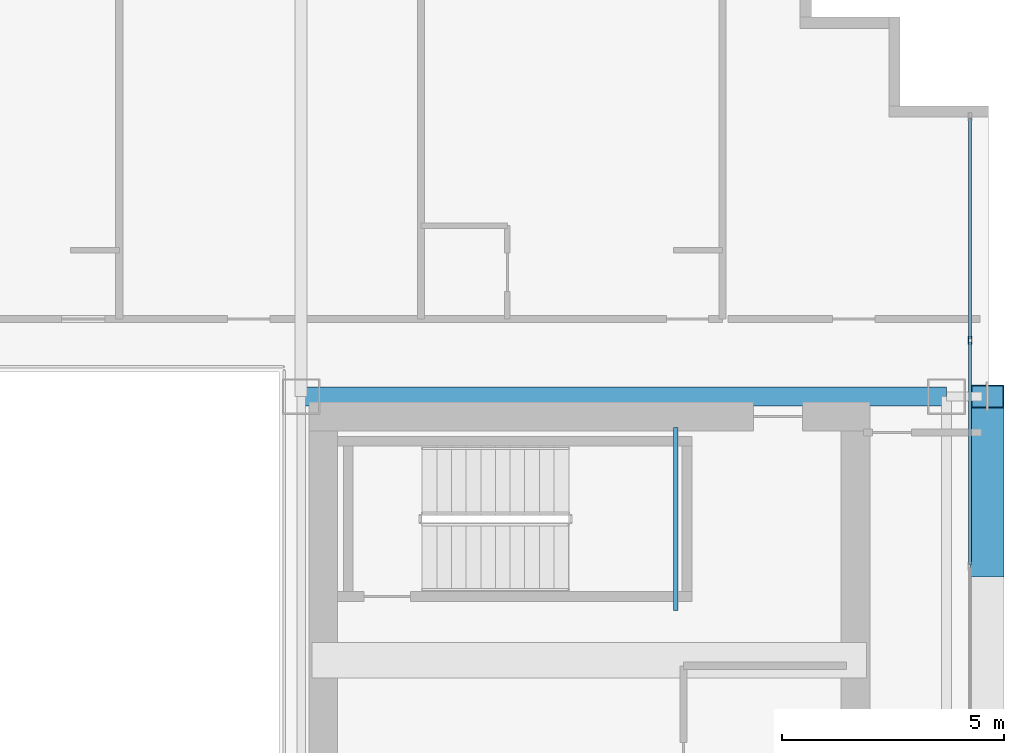
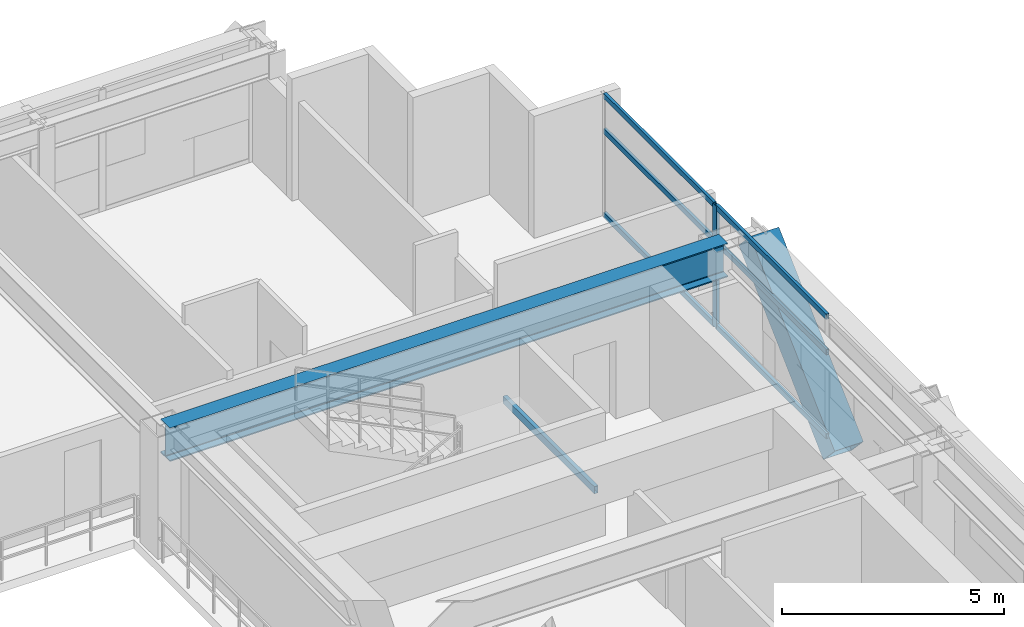
# One storey, part 20 of 35: 8 members, 2 beams, 1 element without a shape of its own.
"""IFC4 building model written with IfcOpenShell, lengths in metres."""

from ifc_helpers import new_model, si_unit, direction, frame, origin, origin_2d, place, context, subcontext, project, spatial, hollow_rectangle, i_section, extrude, source, transform, mapped, material, layer, layer_set, material_profile, profile_set, type_object, element, aggregate, save


model = new_model("IFC4")

# Units and contexts
model_context = context("Model", 3, precision=1e-05, world=origin(), true_north=direction((0.0, 1.0)))
body_context = subcontext(model_context, "Body", "Model", "MODEL_VIEW")
ifc_project = project(units=[si_unit("LENGTHUNIT", "METRE"), si_unit("AREAUNIT", "SQUARE_METRE"), si_unit("VOLUMEUNIT", "CUBIC_METRE"), si_unit("PLANEANGLEUNIT", "RADIAN"), si_unit("MASSUNIT", "GRAM", prefix="KILO")], contexts=[model_context])

# Site, building, storey
site_placement = place(None, origin())
site = spatial("IfcSite", under=ifc_project, at=site_placement, CompositionType="ELEMENT")
building_placement = place(site_placement, origin())
building = spatial("IfcBuilding", under=site, at=building_placement, Name="Ocotamira Hotel", CompositionType="ELEMENT")
storey_placement = place(building_placement, frame((0.0, 0.0, 115.199951171875)))
storey = spatial("IfcBuildingStorey", under=building, at=storey_placement, Name="L28", CompositionType="ELEMENT", Elevation=115.199951171875)

# Beams
ifc_material_1 = material(Name="Steel ASTM A500 Grade C", Category="steel")
ifc_material_profile_1 = material_profile(ifc_material_1, hollow_rectangle(XDim=0.10009765625, YDim=0.199951171875, WallThickness=0.008056640625, at=origin_2d()), Name="HSS200X100X8")
ifc_profile_set_1 = profile_set([ifc_material_profile_1], Name="Steel ASTM A500 Grade C")
beam_type_1 = type_object("IfcBeamType", Name="BM-STLDG-HSS200", PredefinedType="BEAM", material=ifc_profile_set_1)
shared_shape_1 = source(origin(), body_context, "Body", "SweptSolid", [
    extrude(hollow_rectangle(XDim=0.10009765625, YDim=0.199951171875, WallThickness=0.008056640625, at=origin_2d()), origin(), (0.0, 0.0, 1.0), 4.1201171875),
])
beam_1_placement = place(storey_placement, frame((48.949951171875, 32.6298828125, 1.5), z_axis=(0.0, 1.0, 0.0), x_axis=(-1.0, 0.0, 0.0)))
element("IfcBeam", 1, at=beam_1_placement, inside=storey, type_object=beam_type_1, Name="L28 Stair ST-4 Landing Bearer 1", PredefinedType="BEAM", context=body_context, shape_type="MappedRepresentation", body=[
    mapped(shared_shape_1, transform((0.0, 0.0, 0.0), scale=1.0)),
])
ifc_material_2 = material(Name="Steel ASTM A992 Grade 50", Category="steel")
ifc_material_profile_2 = material_profile(ifc_material_2, i_section(OverallWidth=0.41796875, OverallDepth=0.927001953125, WebThickness=0.019287109375, FlangeThickness=0.031982421875, FilletRadius=0.02392578125, at=origin_2d()), Name="W36X231")
ifc_profile_set_2 = profile_set([ifc_material_profile_2], Name="Steel ASTM A992 Grade 50")
beam_type_2 = type_object("IfcBeamType", Name="BM-GIRD-W36X231", PredefinedType="BEAM", material=ifc_profile_set_2)
shared_shape_2 = source(origin(), body_context, "Body", "SweptSolid", [
    extrude(i_section(OverallWidth=0.41796875, OverallDepth=0.927001953125, WebThickness=0.019287109375, FlangeThickness=0.031982421875, FilletRadius=0.02392578125, at=origin_2d()), origin(), (0.0, 0.0, 1.0), 14.550048828125),
])
beam_2_placement = place(storey_placement, frame((40.5, 37.449951171875, 2.896484375), z_axis=(1.0, 0.0, 0.0), x_axis=(0.0, 1.0, 0.0)))
element("IfcBeam", 2, at=beam_2_placement, inside=storey, type_object=beam_type_2, Name="L28 Girder Y37.45 X40.5-55.05", PredefinedType="BEAM", context=body_context, shape_type="MappedRepresentation", body=[
    mapped(shared_shape_2, transform((0.0, 0.0, 0.0), scale=1.0)),
])

# Member
ifc_material_3 = material(Name="Pale-metal coated steel ASTM A913 Grade 65", Category="steel")
ifc_material_profile_3 = material_profile(ifc_material_3, hollow_rectangle(XDim=0.75, YDim=0.75, WallThickness=0.028076171875, at=origin_2d()), Name="BOX750X750X28")
ifc_profile_set_3 = profile_set([ifc_material_profile_3], Name="Pale-metal coated steel ASTM A913 Grade 65")
member_type_1 = type_object("IfcMemberType", Name="MEM-EXO-BOX750", PredefinedType="BRACE", material=ifc_profile_set_3)
shared_shape_3 = source(origin(), body_context, "Body", "SweptSolid", [
    extrude(hollow_rectangle(XDim=0.75, YDim=0.75, WallThickness=0.028076171875, at=origin_2d()), origin(), (0.0, 0.0, 1.0), 5.24658203125),
])
member_1_placement = place(storey_placement, frame((55.969970703125, 33.63330078125, -0.489990234375), z_axis=(0.0, 0.727442733726, 0.686168397078), x_axis=(-1.0, 0.0, 0.0)))
element("IfcMember", 3, at=member_1_placement, inside=storey, type_object=member_type_1, Name="L28 Exoskeleton Diagrid E2.2", PredefinedType="BRACE", context=body_context, shape_type="MappedRepresentation", body=[
    mapped(shared_shape_3, transform((0.0, 0.0, 0.0), scale=1.0)),
])

# Curtain wall, members
ifc_material_4 = material(Name="Anodised pale-metal aluminium and solar glass", Category="aluminium")
ifc_layer = layer(ifc_material_4, 0.179931640625)
ifc_layer_set = layer_set([ifc_layer], Name="Anodised pale-metal aluminium and solar glass")
curtain_wall_type = type_object("IfcCurtainWallType", Name="CW-SYS3-Z2", PredefinedType="NOTDEFINED", material=ifc_layer_set)
curtain_wall_placement = place(storey_placement, origin())
curtain_wall = element("IfcCurtainWall", 4, at=curtain_wall_placement, inside=storey, type_object=curtain_wall_type, Name="L28 Curtain Wall CW-3 CW-L28-E", PredefinedType="NOTDEFINED")
ifc_material_5 = material(Name="Anodised pale-metal aluminium 6063-T6", Category="aluminium")
ifc_material_profile_4 = material_profile(ifc_material_5, hollow_rectangle(XDim=0.074951171875, YDim=0.14990234375, WallThickness=0.006103515625, at=origin_2d()), Name="HSS150X75X6")
ifc_profile_set_4 = profile_set([ifc_material_profile_4], Name="Anodised pale-metal aluminium 6063-T6")
member_type_2 = type_object("IfcMemberType", Name="CWT-150X75", PredefinedType="USERDEFINED", material=ifc_profile_set_4)
shared_shape_4 = source(origin(), body_context, "Body", "SweptSolid", [
    extrude(hollow_rectangle(XDim=0.074951171875, YDim=0.14990234375, WallThickness=0.006103515625, at=origin_2d()), origin(), (0.0, 0.0, 1.0), 4.965576171875),
])
member_2_placement = place(storey_placement, frame((55.580078125, 38.75439453125, 0.03759765625), z_axis=(0.0, 1.0, 0.0), x_axis=(-1.0, 0.0, 0.0)))
member_2 = element("IfcMember", 5, at=member_2_placement, type_object=member_type_2, Name="CW-3 transom 7.1", ObjectType="TRANSOM", PredefinedType="USERDEFINED", context=body_context, shape_type="MappedRepresentation", body=[
    mapped(shared_shape_4, transform((0.0, 0.0, 0.0), scale=1.0)),
])
member_3_placement = place(storey_placement, frame((55.580078125, 38.75439453125, 2.35009765625), z_axis=(0.0, 1.0, 0.0), x_axis=(-1.0, 0.0, 0.0)))
member_3 = element("IfcMember", 6, at=member_3_placement, type_object=member_type_2, Name="CW-3 transom 7.2", ObjectType="TRANSOM", PredefinedType="USERDEFINED", context=body_context, shape_type="MappedRepresentation", body=[
    mapped(shared_shape_4, transform((0.0, 0.0, 0.0), scale=1.0)),
])
member_4_placement = place(storey_placement, frame((55.580078125, 38.75439453125, 3.322509765625), z_axis=(0.0, 1.0, 0.0), x_axis=(-1.0, 0.0, 0.0)))
member_4 = element("IfcMember", 7, at=member_4_placement, type_object=member_type_2, Name="CW-3 transom 7.3", ObjectType="TRANSOM", PredefinedType="USERDEFINED", context=body_context, shape_type="MappedRepresentation", body=[
    mapped(shared_shape_4, transform((0.0, 0.0, 0.0), scale=1.0)),
])
shared_shape_5 = source(origin(), body_context, "Body", "SweptSolid", [
    extrude(hollow_rectangle(XDim=0.074951171875, YDim=0.14990234375, WallThickness=0.006103515625, at=origin_2d()), origin(), (0.0, 0.0, 1.0), 5.005859375),
])
member_5_placement = place(storey_placement, frame((55.580078125, 33.66845703125, 0.03759765625), z_axis=(0.0, 1.0, 0.0), x_axis=(-1.0, 0.0, 0.0)))
member_5 = element("IfcMember", 8, at=member_5_placement, type_object=member_type_2, Name="CW-3 transom 6.1", ObjectType="TRANSOM", PredefinedType="USERDEFINED", context=body_context, shape_type="MappedRepresentation", body=[
    mapped(shared_shape_5, transform((0.0, 0.0, 0.0), scale=1.0)),
])
member_6_placement = place(storey_placement, frame((55.580078125, 33.66845703125, 2.35009765625), z_axis=(0.0, 1.0, 0.0), x_axis=(-1.0, 0.0, 0.0)))
member_6 = element("IfcMember", 9, at=member_6_placement, type_object=member_type_2, Name="CW-3 transom 6.2", ObjectType="TRANSOM", PredefinedType="USERDEFINED", context=body_context, shape_type="MappedRepresentation", body=[
    mapped(shared_shape_5, transform((0.0, 0.0, 0.0), scale=1.0)),
])
member_7_placement = place(storey_placement, frame((55.580078125, 33.66845703125, 3.322509765625), z_axis=(0.0, 1.0, 0.0), x_axis=(-1.0, 0.0, 0.0)))
member_7 = element("IfcMember", 10, at=member_7_placement, type_object=member_type_2, Name="CW-3 transom 6.3", ObjectType="TRANSOM", PredefinedType="USERDEFINED", context=body_context, shape_type="MappedRepresentation", body=[
    mapped(shared_shape_5, transform((0.0, 0.0, 0.0), scale=1.0)),
])
ifc_material_profile_5 = material_profile(ifc_material_5, hollow_rectangle(XDim=0.080078125, YDim=0.179931640625, WallThickness=0.006103515625, at=origin_2d()), Name="HSS180X80X6")
ifc_profile_set_5 = profile_set([ifc_material_profile_5], Name="Anodised pale-metal aluminium 6063-T6")
member_type_3 = type_object("IfcMemberType", Name="CWM-180X75", PredefinedType="MULLION", material=ifc_profile_set_5)
shared_shape_6 = source(origin(), body_context, "Body", "SweptSolid", [
    extrude(hollow_rectangle(XDim=0.080078125, YDim=0.179931640625, WallThickness=0.006103515625, at=origin_2d()), origin(), (0.0, 0.0, 1.0), 3.360107421875),
])
member_8_placement = place(storey_placement, frame((55.580078125, 38.71435546875, 0.0), z_axis=(0.0, 0.0, 1.0), x_axis=(-1.0, 0.0, 0.0)))
member_8 = element("IfcMember", 11, at=member_8_placement, type_object=member_type_3, Name="CW-3 mullion 7", PredefinedType="MULLION", context=body_context, shape_type="MappedRepresentation", body=[
    mapped(shared_shape_6, transform((0.0, 0.0, 0.0), scale=1.0)),
])
aggregate(curtain_wall, [member_8, member_5, member_6, member_7, member_2, member_3, member_4])

save(model, "model.ifc")
